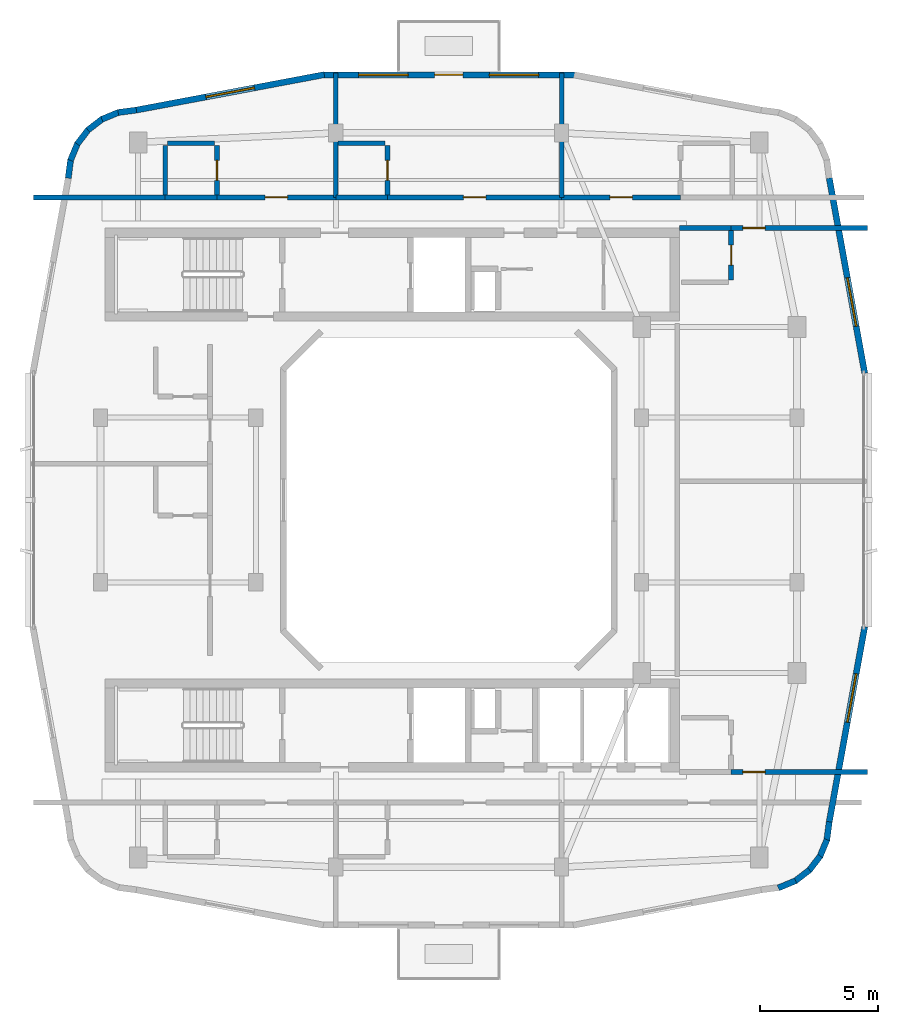
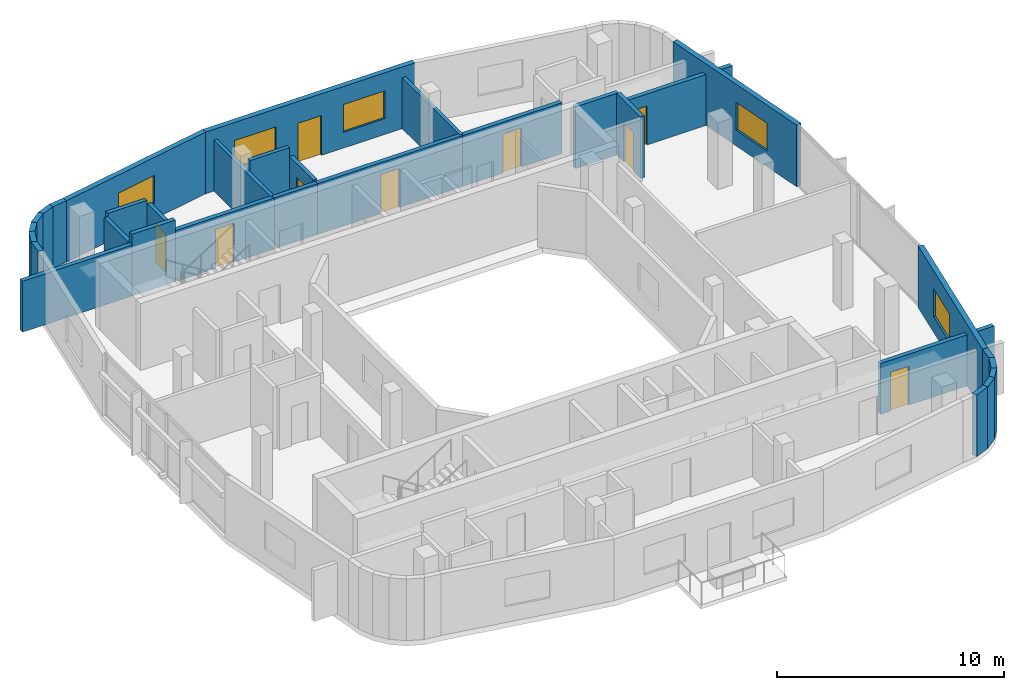
# One storey, part 6 of 10: 32 walls, 9 doors, 5 windows, 14 openings.
"""IFC4 building model written with IfcOpenShell, lengths in metres."""

from ifc_helpers import new_model, si_unit, derived_unit, direction, frame, frame_2d, origin, place, context, subcontext, project, spatial, rectangle, extrude, material, layer, layer_set, type_object, element, fill, save


model = new_model("IFC4")

# Units and contexts
model_context = context("Model", 3, precision=1e-05, world=origin(), true_north=direction((0.0, 1.0)))
body_context = subcontext(model_context, "Body", "Model", "MODEL_VIEW")
ifc_project = project(units=[si_unit("LENGTHUNIT", "METRE"), si_unit("AREAUNIT", "SQUARE_METRE"), si_unit("VOLUMEUNIT", "CUBIC_METRE"), si_unit("PLANEANGLEUNIT", "RADIAN"), si_unit("MASSUNIT", "GRAM", prefix="KILO"), derived_unit("THERMALTRANSMITTANCEUNIT", [(si_unit("POWERUNIT", "WATT"), 1), (si_unit("LENGTHUNIT", "METRE"), -2), (si_unit("THERMODYNAMICTEMPERATUREUNIT", "KELVIN"), -1)])], contexts=[model_context])

# Site, building, storey
site_placement = place(None, origin())
site = spatial("IfcSite", under=ifc_project, at=site_placement, CompositionType="ELEMENT")
building_placement = place(site_placement, origin())
building = spatial("IfcBuilding", under=site, at=building_placement, Name="Kivonza Crest Hotel", CompositionType="ELEMENT")
storey_placement = place(building_placement, frame((0.0, 0.0, 254.0)))
storey = spatial("IfcBuildingStorey", under=building, at=storey_placement, Name="L69", CompositionType="ELEMENT", Elevation=254.0)

# Walls
ifc_material_1 = material(Name="High-density acoustic masonry inter-tenancy wall", Category="masonry")
ifc_layer_1 = layer(ifc_material_1, 0.179931640625)
ifc_layer_set_1 = layer_set([ifc_layer_1], Name="High-density acoustic masonry inter-tenancy wall")
wall_type_1 = type_object("IfcWallType", Name="WL-ACOU-180", PredefinedType="SOLIDWALL", material=ifc_layer_set_1)
for number, where, z_axis, x_axis, name in (
    (1, (16.199951171875, 37.860107421875, 0.0), (0.0, 0.0, 1.0), (0.0, 1.0, 0.0), "L69 interior partition WA-L69-T1N-DIV1"),
    (2, (25.800048828125, 37.860107421875, 0.0), (0.0, 0.0, 1.0), (0.0, 1.0, 0.0), "L69 interior partition WA-L69-T1N-DIV2"),
):
    element("IfcWall", number, at=place(storey_placement, frame(where, z_axis=z_axis, x_axis=x_axis)), inside=storey, type_object=wall_type_1, Name=name, PredefinedType="SOLIDWALL", context=body_context, shape_type="SweptSolid", body=[
        extrude(rectangle(XDim=5.27978515625, YDim=0.179931640625, at=frame_2d((2.639892578125, 0.0))), origin(), (0.0, 0.0, 1.0), 2.7451171875),
    ])
ifc_material_2 = material(Name="Autoclaved aerated concrete blockwork", Category="masonry")
ifc_layer_2 = layer(ifc_material_2, 0.219970703125)
ifc_layer_set_2 = layer_set([ifc_layer_2], Name="Autoclaved aerated concrete blockwork")
wall_type_2 = type_object("IfcWallType", Name="WL-ACOU-220", PredefinedType="SOLIDWALL", material=ifc_layer_set_2)
wall_1_placement = place(storey_placement, frame((3.360107421875, 37.860107421875, 0.0), z_axis=(0.0, 0.0, 1.0), x_axis=(1.0, 0.0, 0.0)))
element("IfcWall", 3, at=wall_1_placement, inside=storey, type_object=wall_type_2, Name="L69 interior partition WA-L69-N01-XCORR", PredefinedType="SOLIDWALL", context=body_context, shape_type="SweptSolid", body=[
    extrude(rectangle(XDim=5.58984375, YDim=0.219970703125, at=frame_2d((2.794921875, 0.0))), origin(), (0.0, 0.0, 1.0), 2.7451171875),
])
wall_2_placement = place(storey_placement, frame((8.949951171875, 37.860107421875, 0.0), z_axis=(0.0, 0.0, 1.0), x_axis=(1.0, 0.0, 0.0)))
element("IfcWall", 4, at=wall_2_placement, inside=storey, type_object=wall_type_2, Name="L69 interior partition WA-L69-N01-BCORR", PredefinedType="SOLIDWALL", context=body_context, shape_type="SweptSolid", body=[
    extrude(rectangle(XDim=2.199951171875, YDim=0.219970703125, at=frame_2d((1.10009765625, 0.0))), origin(), (0.0, 0.0, 1.0), 3.320068359375),
])

# Wall, opening, door
wall_3_placement = place(storey_placement, frame((11.14990234375, 37.860107421875, 0.0), z_axis=(0.0, 0.0, 1.0), x_axis=(1.0, 0.0, 0.0)))
wall_3 = element("IfcWall", 5, at=wall_3_placement, inside=storey, type_object=wall_type_2, Name="L69 interior partition WA-L69-N01-MCORR", PredefinedType="SOLIDWALL", context=body_context, shape_type="SweptSolid", body=[
    extrude(rectangle(XDim=5.050048828125, YDim=0.219970703125, at=frame_2d((2.52490234375, 0.0))), origin(), (0.0, 0.0, 1.0), 2.7451171875),
])
opening_1_placement = place(wall_3_placement, frame((2.050048828125, 0.0, 0.0)))
opening_1 = element("IfcOpeningElement", 6, at=opening_1_placement, cuts=wall_3, Name="Opening DU-60", PredefinedType="OPENING", context=body_context, shape_type="SweptSolid", body=[
    extrude(rectangle(XDim=0.949951171875, YDim=2.10009765625, at=frame_2d((0.47509765625, 1.050048828125))), frame((0.0, 0.1201171875, 0.0), z_axis=(0.0, -1.0, 0.0), x_axis=(1.0, 0.0, 0.0)), (0.0, 0.0, 1.0), 0.239990234375),
])
ifc_material_3 = material(Name="Hardwood timber oak", Category="wood")
door_type_1 = type_object("IfcDoorType", Name="DR-UNIT-950", OperationType="NOTDEFINED", PredefinedType="DOOR", material=ifc_material_3)
door_1_placement = place(opening_1_placement, origin())
door_1 = element("IfcDoor", 7, at=door_1_placement, inside=storey, type_object=door_type_1, Name="L69 N01 guest unit entrance fire door", OperationType="SINGLE_SWING_LEFT", OverallHeight=2.10009765625, OverallWidth=0.949951171875, PredefinedType="DOOR", context=body_context, shape_type="SweptSolid", body=[
    extrude(rectangle(XDim=0.949951171875, YDim=2.10009765625, at=frame_2d((0.47509765625, 1.050048828125))), frame((0.0, 0.02490234375, 0.0), z_axis=(0.0, -1.0, 0.0), x_axis=(1.0, 0.0, 0.0)), (0.0, 0.0, 1.0), 0.050048828125),
])
fill(opening_1, door_1)

# Wall
wall_4_placement = place(storey_placement, frame((16.199951171875, 37.860107421875, 0.0), z_axis=(0.0, 0.0, 1.0), x_axis=(1.0, 0.0, 0.0)))
element("IfcWall", 8, at=wall_4_placement, inside=storey, type_object=wall_type_2, Name="L69 interior partition WA-L69-N02-BCORR", PredefinedType="SOLIDWALL", context=body_context, shape_type="SweptSolid", body=[
    extrude(rectangle(XDim=2.199951171875, YDim=0.219970703125, at=frame_2d((1.10009765625, 0.0))), origin(), (0.0, 0.0, 1.0), 2.7451171875),
])

# Wall, opening, door
wall_5_placement = place(storey_placement, frame((18.39990234375, 37.860107421875, 0.0), z_axis=(0.0, 0.0, 1.0), x_axis=(1.0, 0.0, 0.0)))
wall_5 = element("IfcWall", 9, at=wall_5_placement, inside=storey, type_object=wall_type_2, Name="L69 interior partition WA-L69-N02-MCORR", PredefinedType="SOLIDWALL", context=body_context, shape_type="SweptSolid", body=[
    extrude(rectangle(XDim=7.400146484375, YDim=0.219970703125, at=frame_2d((3.7001953125, 0.0))), origin(), (0.0, 0.0, 1.0), 2.7451171875),
])
opening_2_placement = place(wall_5_placement, frame((3.22509765625, 0.0, 0.0)))
opening_2 = element("IfcOpeningElement", 10, at=opening_2_placement, cuts=wall_5, Name="Opening DU-60", PredefinedType="OPENING", context=body_context, shape_type="SweptSolid", body=[
    extrude(rectangle(XDim=0.949951171875, YDim=2.10009765625, at=frame_2d((0.47509765625, 1.050048828125))), frame((0.0, 0.1201171875, 0.0), z_axis=(0.0, -1.0, 0.0), x_axis=(1.0, 0.0, 0.0)), (0.0, 0.0, 1.0), 0.239990234375),
])
door_2_placement = place(opening_2_placement, origin())
door_2 = element("IfcDoor", 11, at=door_2_placement, inside=storey, type_object=door_type_1, Name="L69 N02 guest unit entrance fire door", OperationType="SINGLE_SWING_RIGHT", OverallHeight=2.10009765625, OverallWidth=0.949951171875, PredefinedType="DOOR", context=body_context, shape_type="SweptSolid", body=[
    extrude(rectangle(XDim=0.949951171875, YDim=2.10009765625, at=frame_2d((0.47509765625, 1.050048828125))), frame((0.0, 0.02490234375, 0.0), z_axis=(0.0, -1.0, 0.0), x_axis=(1.0, 0.0, 0.0)), (0.0, 0.0, 1.0), 0.050048828125),
])
fill(opening_2, door_2)

wall_6_placement = place(storey_placement, frame((25.800048828125, 37.860107421875, 0.0), z_axis=(0.0, 0.0, 1.0), x_axis=(1.0, 0.0, 0.0)))
wall_6 = element("IfcWall", 12, at=wall_6_placement, inside=storey, type_object=wall_type_2, Name="L69 interior partition WA-L69-N03-MCORR", PredefinedType="SOLIDWALL", context=body_context, shape_type="SweptSolid", body=[
    extrude(rectangle(XDim=5.050048828125, YDim=0.219970703125, at=frame_2d((2.52490234375, 0.0))), origin(), (0.0, 0.0, 1.0), 2.7451171875),
])
opening_3_placement = place(wall_6_placement, frame((2.050048828125, 0.0, 0.0)))
opening_3 = element("IfcOpeningElement", 13, at=opening_3_placement, cuts=wall_6, Name="Opening DU-60", PredefinedType="OPENING", context=body_context, shape_type="SweptSolid", body=[
    extrude(rectangle(XDim=0.949951171875, YDim=2.10009765625, at=frame_2d((0.47509765625, 1.050048828125))), frame((0.0, 0.1201171875, 0.0), z_axis=(0.0, -1.0, 0.0), x_axis=(1.0, 0.0, 0.0)), (0.0, 0.0, 1.0), 0.239990234375),
])
door_3_placement = place(opening_3_placement, origin())
door_3 = element("IfcDoor", 14, at=door_3_placement, inside=storey, type_object=door_type_1, Name="L69 N03 guest unit entrance fire door", OperationType="SINGLE_SWING_LEFT", OverallHeight=2.10009765625, OverallWidth=0.949951171875, PredefinedType="DOOR", context=body_context, shape_type="SweptSolid", body=[
    extrude(rectangle(XDim=0.949951171875, YDim=2.10009765625, at=frame_2d((0.47509765625, 1.050048828125))), frame((0.0, 0.02490234375, 0.0), z_axis=(0.0, -1.0, 0.0), x_axis=(1.0, 0.0, 0.0)), (0.0, 0.0, 1.0), 0.050048828125),
])
fill(opening_3, door_3)

wall_7_placement = place(storey_placement, frame((33.0, 13.43994140625, 0.0), z_axis=(0.0, 0.0, 1.0), x_axis=(1.0, 0.0, 0.0)))
wall_7 = element("IfcWall", 15, at=wall_7_placement, inside=storey, type_object=wall_type_2, Name="L69 interior partition WA-L69-ES08-MCORR", PredefinedType="SOLIDWALL", context=body_context, shape_type="SweptSolid", body=[
    extrude(rectangle(XDim=5.800048828125, YDim=0.219970703125, at=frame_2d((2.89990234375, 0.0))), origin(), (0.0, 0.0, 1.0), 2.7451171875),
])
opening_4_placement = place(wall_7_placement, frame((0.5, 0.0, 0.0)))
opening_4 = element("IfcOpeningElement", 16, at=opening_4_placement, cuts=wall_7, Name="Opening DU-60", PredefinedType="OPENING", context=body_context, shape_type="SweptSolid", body=[
    extrude(rectangle(XDim=0.949951171875, YDim=2.10009765625, at=frame_2d((0.47509765625, 1.050048828125))), frame((0.0, 0.1201171875, 0.0), z_axis=(0.0, -1.0, 0.0), x_axis=(1.0, 0.0, 0.0)), (0.0, 0.0, 1.0), 0.239990234375),
])
door_4_placement = place(opening_4_placement, origin())
door_4 = element("IfcDoor", 17, at=door_4_placement, inside=storey, type_object=door_type_1, Name="L69 ES08 guest unit entrance fire door", OperationType="SINGLE_SWING_RIGHT", OverallHeight=2.10009765625, OverallWidth=0.949951171875, PredefinedType="DOOR", context=body_context, shape_type="SweptSolid", body=[
    extrude(rectangle(XDim=0.949951171875, YDim=2.10009765625, at=frame_2d((0.47509765625, 1.050048828125))), frame((0.0, 0.02490234375, 0.0), z_axis=(0.0, -1.0, 0.0), x_axis=(1.0, 0.0, 0.0)), (0.0, 0.0, 1.0), 0.050048828125),
])
fill(opening_4, door_4)

# Wall
wall_8_placement = place(storey_placement, frame((30.800048828125, 36.56005859375, 0.0), z_axis=(0.0, 0.0, 1.0), x_axis=(1.0, 0.0, 0.0)))
element("IfcWall", 18, at=wall_8_placement, inside=storey, type_object=wall_type_2, Name="L69 interior partition WA-L69-EN09-BCORR", PredefinedType="SOLIDWALL", context=body_context, shape_type="SweptSolid", body=[
    extrude(rectangle(XDim=2.199951171875, YDim=0.219970703125, at=frame_2d((1.10009765625, 0.0))), origin(), (0.0, 0.0, 1.0), 3.320068359375),
])

# Wall, opening, door
wall_9_placement = place(storey_placement, frame((33.0, 36.56005859375, 0.0), z_axis=(0.0, 0.0, 1.0), x_axis=(1.0, 0.0, 0.0)))
wall_9 = element("IfcWall", 19, at=wall_9_placement, inside=storey, type_object=wall_type_2, Name="L69 interior partition WA-L69-EN09-MCORR", PredefinedType="SOLIDWALL", context=body_context, shape_type="SweptSolid", body=[
    extrude(rectangle(XDim=5.800048828125, YDim=0.219970703125, at=frame_2d((2.89990234375, 0.0))), origin(), (0.0, 0.0, 1.0), 2.7451171875),
])
opening_5_placement = place(wall_9_placement, frame((0.5, 0.0, 0.0)))
opening_5 = element("IfcOpeningElement", 20, at=opening_5_placement, cuts=wall_9, Name="Opening DU-60", PredefinedType="OPENING", context=body_context, shape_type="SweptSolid", body=[
    extrude(rectangle(XDim=0.949951171875, YDim=2.10009765625, at=frame_2d((0.47509765625, 1.050048828125))), frame((0.0, 0.1201171875, 0.0), z_axis=(0.0, -1.0, 0.0), x_axis=(1.0, 0.0, 0.0)), (0.0, 0.0, 1.0), 0.239990234375),
])
door_5_placement = place(opening_5_placement, frame((0.949951171875, 0.0, 0.0), z_axis=(0.0, 0.0, 1.0), x_axis=(-1.0, 0.0, 0.0)))
door_5 = element("IfcDoor", 21, at=door_5_placement, inside=storey, type_object=door_type_1, Name="L69 EN09 guest unit entrance fire door", OperationType="SINGLE_SWING_LEFT", OverallHeight=2.10009765625, OverallWidth=0.949951171875, PredefinedType="DOOR", context=body_context, shape_type="SweptSolid", body=[
    extrude(rectangle(XDim=0.949951171875, YDim=2.10009765625, at=frame_2d((0.47509765625, 1.050048828125))), frame((0.0, 0.02490234375, 0.0), z_axis=(0.0, -1.0, 0.0), x_axis=(1.0, 0.0, 0.0)), (0.0, 0.0, 1.0), 0.050048828125),
])
fill(opening_5, door_5)

# Walls
ifc_material_4 = material(Name="Precast concrete C40/50", Category="concrete")
ifc_layer_3 = layer(ifc_material_4, 0.260009765625)
ifc_layer_set_3 = layer_set([ifc_layer_3], Name="Precast concrete C40/50")
wall_type_3 = type_object("IfcWallType", Name="WL-EXT-260", PredefinedType="STANDARD", material=ifc_layer_set_3)
wall_10_placement = place(storey_placement, frame((35.0029296875, 8.511962890625, 0.0), z_axis=(0.0, 0.0, 1.0), x_axis=(0.923681457047, 0.383161279238, 0.0)))
element("IfcWall", 22, at=wall_10_placement, inside=storey, type_object=wall_type_3, Name="L69 T1 exterior insulated wall 11", PredefinedType="STANDARD", context=body_context, shape_type="SweptSolid", body=[
    extrude(rectangle(XDim=0.799072265625, YDim=0.260009765625, at=frame_2d((0.3994140625, 0.0))), origin(), (0.0, 0.0, 1.0), 3.320068359375),
])
for number, where, z_axis, x_axis, name in (
    (23, (35.700927734375, 8.7900390625, 0.0), (0.0, 0.0, 1.0), (0.793305889705, 0.608823262828, 0.0), "L69 T1 exterior insulated wall 12"),
    (24, (36.302978515625, 9.238037109375, 0.0), (0.0, 0.0, 1.0), (0.609015748398, 0.793158129381, 0.0), "L69 T1 exterior insulated wall 13"),
):
    element("IfcWall", number, at=place(storey_placement, frame(where, z_axis=z_axis, x_axis=x_axis)), inside=storey, type_object=wall_type_3, Name=name, PredefinedType="STANDARD", context=body_context, shape_type="SweptSolid", body=[
        extrude(rectangle(XDim=0.798095703125, YDim=0.260009765625, at=frame_2d((0.39892578125, 0.0))), origin(), (0.0, 0.0, 1.0), 3.320068359375),
    ])
wall_11_placement = place(storey_placement, frame((36.76806640625, 9.826904296875, 0.0), z_axis=(0.0, 0.0, 1.0), x_axis=(0.382900540965, 0.923789573295, 0.0)))
element("IfcWall", 25, at=wall_11_placement, inside=storey, type_object=wall_type_3, Name="L69 T1 exterior insulated wall 14", PredefinedType="STANDARD", context=body_context, shape_type="SweptSolid", body=[
    extrude(rectangle(XDim=0.798828125, YDim=0.260009765625, at=frame_2d((0.3994140625, 0.0))), origin(), (0.0, 0.0, 1.0), 3.320068359375),
])
wall_12_placement = place(storey_placement, frame((37.06591796875, 10.51611328125, 0.0), z_axis=(0.0, 0.0, 1.0), x_axis=(0.130183552987, 0.991489910454, 0.0)))
element("IfcWall", 26, at=wall_12_placement, inside=storey, type_object=wall_type_3, Name="L69 T1 exterior insulated wall 15", PredefinedType="STANDARD", context=body_context, shape_type="SweptSolid", body=[
    extrude(rectangle(XDim=0.815673828125, YDim=0.260009765625, at=frame_2d((0.40771484375, 0.0))), origin(), (0.0, 0.0, 1.0), 3.320068359375),
])

# Wall, opening, window
wall_13_placement = place(storey_placement, frame((37.1708984375, 11.31494140625, 0.0), z_axis=(0.0, 0.0, 1.0), x_axis=(0.179061111398, 0.983837953316, 0.0)))
wall_13 = element("IfcWall", 27, at=wall_13_placement, inside=storey, type_object=wall_type_3, Name="L69 T1 exterior insulated wall 16", PredefinedType="STANDARD", context=body_context, shape_type="SweptSolid", body=[
    extrude(rectangle(XDim=8.4384765625, YDim=0.260009765625, at=frame_2d((4.21923828125, 0.0))), origin(), (0.0, 0.0, 1.0), 3.320068359375),
])
opening_6_placement = place(wall_13_placement, frame((4.30810546875, 0.0, 0.85009765625)))
opening_6 = element("IfcOpeningElement", 28, at=opening_6_placement, cuts=wall_13, Name="Opening WN-04", PredefinedType="OPENING", context=body_context, shape_type="SweptSolid", body=[
    extrude(rectangle(XDim=2.10009765625, YDim=1.5, at=frame_2d((1.050048828125, 0.75))), frame((0.0, 0.14013671875, 0.0), z_axis=(0.0, -1.0, 0.0), x_axis=(1.0, 0.0, 0.0)), (0.0, 0.0, 1.0), 0.280029296875),
])
ifc_material_5 = material(Name="Thermally broken bronze aluminium and low-E double glazing", Category="aluminium")
window_type = type_object("IfcWindowType", Name="WN-210x150", PartitioningType="DOUBLE_PANEL_VERTICAL", PredefinedType="WINDOW", material=ifc_material_5)
window_1_placement = place(opening_6_placement, origin())
window_1 = element("IfcWindow", 29, at=window_1_placement, inside=storey, type_object=window_type, Name="L69 T1 facade window 16", OverallHeight=1.5, OverallWidth=2.10009765625, PartitioningType="SINGLE_PANEL", PredefinedType="WINDOW", context=body_context, shape_type="SweptSolid", body=[
    extrude(rectangle(XDim=2.10009765625, YDim=1.5, at=frame_2d((1.050048828125, 0.75))), frame((0.0, 0.030029296875, 0.0), z_axis=(0.0, -1.0, 0.0), x_axis=(1.0, 0.0, 0.0)), (0.0, 0.0, 1.0), 0.06005859375),
])
fill(opening_6, window_1)

wall_14_placement = place(storey_placement, frame((38.681884765625, 30.383056640625, 0.0), z_axis=(0.0, 0.0, 1.0), x_axis=(-0.179061111398, 0.983837953316, 0.0)))
wall_14 = element("IfcWall", 30, at=wall_14_placement, inside=storey, type_object=wall_type_3, Name="L69 T1 exterior insulated wall 18", PredefinedType="STANDARD", context=body_context, shape_type="SweptSolid", body=[
    extrude(rectangle(XDim=8.4384765625, YDim=0.260009765625, at=frame_2d((4.21923828125, 0.0))), origin(), (0.0, 0.0, 1.0), 3.320068359375),
])
opening_7_placement = place(wall_14_placement, frame((2.030029296875, 0.0, 0.85009765625)))
opening_7 = element("IfcOpeningElement", 31, at=opening_7_placement, cuts=wall_14, Name="Opening WN-04", PredefinedType="OPENING", context=body_context, shape_type="SweptSolid", body=[
    extrude(rectangle(XDim=2.10009765625, YDim=1.5, at=frame_2d((1.050048828125, 0.75))), frame((0.0, 0.14013671875, 0.0), z_axis=(0.0, -1.0, 0.0), x_axis=(1.0, 0.0, 0.0)), (0.0, 0.0, 1.0), 0.280029296875),
])
window_2_placement = place(opening_7_placement, origin())
window_2 = element("IfcWindow", 32, at=window_2_placement, inside=storey, type_object=window_type, Name="L69 T1 facade window 18", OverallHeight=1.5, OverallWidth=2.10009765625, PartitioningType="SINGLE_PANEL", PredefinedType="WINDOW", context=body_context, shape_type="SweptSolid", body=[
    extrude(rectangle(XDim=2.10009765625, YDim=1.5, at=frame_2d((1.050048828125, 0.75))), frame((0.0, 0.030029296875, 0.0), z_axis=(0.0, -1.0, 0.0), x_axis=(1.0, 0.0, 0.0)), (0.0, 0.0, 1.0), 0.06005859375),
])
fill(opening_7, window_2)

# Wall, openings, door, windows
wall_15_placement = place(storey_placement, frame((26.364990234375, 43.070068359375, 0.0), z_axis=(0.0, 0.0, 1.0), x_axis=(-1.0, 0.0, 0.0)))
wall_15 = element("IfcWall", 33, at=wall_15_placement, inside=storey, type_object=wall_type_3, Name="L69 T1 exterior insulated wall 26", PredefinedType="STANDARD", context=body_context, shape_type="SweptSolid", body=[
    extrude(rectangle(XDim=10.695068359375, YDim=0.260009765625, at=frame_2d((5.34765625, 0.0))), origin(), (0.0, 0.0, 1.0), 3.320068359375),
])
opening_8_placement = place(wall_15_placement, frame((4.764892578125, 0.0, 0.0)))
opening_8 = element("IfcOpeningElement", 34, at=opening_8_placement, cuts=wall_15, Name="Opening DT-120", PredefinedType="OPENING", context=body_context, shape_type="SweptSolid", body=[
    extrude(rectangle(XDim=1.199951171875, YDim=2.14990234375, at=frame_2d((0.60009765625, 1.074951171875))), frame((0.0, 0.14013671875, 0.0), z_axis=(0.0, -1.0, 0.0), x_axis=(1.0, 0.0, 0.0)), (0.0, 0.0, 1.0), 0.280029296875),
])
opening_9_placement = place(wall_15_placement, frame((1.5400390625, 0.0, 0.85009765625)))
opening_9 = element("IfcOpeningElement", 35, at=opening_9_placement, cuts=wall_15, Name="Opening WN-04", PredefinedType="OPENING", context=body_context, shape_type="SweptSolid", body=[
    extrude(rectangle(XDim=2.10009765625, YDim=1.5, at=frame_2d((1.050048828125, 0.75))), frame((0.0, 0.14013671875, 0.0), z_axis=(0.0, -1.0, 0.0), x_axis=(1.0, 0.0, 0.0)), (0.0, 0.0, 1.0), 0.280029296875),
])
opening_10_placement = place(wall_15_placement, frame((7.090087890625, 0.0, 0.85009765625)))
opening_10 = element("IfcOpeningElement", 36, at=opening_10_placement, cuts=wall_15, Name="Opening WN-04", PredefinedType="OPENING", context=body_context, shape_type="SweptSolid", body=[
    extrude(rectangle(XDim=2.10009765625, YDim=1.5, at=frame_2d((1.050048828125, 0.75))), frame((0.0, 0.14013671875, 0.0), z_axis=(0.0, -1.0, 0.0), x_axis=(1.0, 0.0, 0.0)), (0.0, 0.0, 1.0), 0.280029296875),
])
ifc_material_6 = material(Name="Anodised bronze aluminium and laminated safety glass", Category="aluminium")
door_type_2 = type_object("IfcDoorType", Name="DR-TERR-1200", OperationType="NOTDEFINED", PredefinedType="DOOR", material=ifc_material_6)
door_6_placement = place(opening_8_placement, frame((1.199951171875, 0.0, 0.0), z_axis=(0.0, 0.0, 1.0), x_axis=(-1.0, 0.0, 0.0)))
door_6 = element("IfcDoor", 37, at=door_6_placement, inside=storey, type_object=door_type_2, Name="T1 L69 NE sky-garden bridge access door", OperationType="SINGLE_SWING_LEFT", OverallHeight=2.14990234375, OverallWidth=1.199951171875, PredefinedType="DOOR", context=body_context, shape_type="SweptSolid", body=[
    extrude(rectangle(XDim=1.199951171875, YDim=2.14990234375, at=frame_2d((0.60009765625, 1.074951171875))), frame((0.0, 0.02490234375, 0.0), z_axis=(0.0, -1.0, 0.0), x_axis=(1.0, 0.0, 0.0)), (0.0, 0.0, 1.0), 0.050048828125),
])
fill(opening_8, door_6)
window_3_placement = place(opening_9_placement, origin())
window_3 = element("IfcWindow", 38, at=window_3_placement, inside=storey, type_object=window_type, Name="L69 T1 facade window 26 bay 1", OverallHeight=1.5, OverallWidth=2.10009765625, PartitioningType="SINGLE_PANEL", PredefinedType="WINDOW", context=body_context, shape_type="SweptSolid", body=[
    extrude(rectangle(XDim=2.10009765625, YDim=1.5, at=frame_2d((1.050048828125, 0.75))), frame((0.0, 0.030029296875, 0.0), z_axis=(0.0, -1.0, 0.0), x_axis=(1.0, 0.0, 0.0)), (0.0, 0.0, 1.0), 0.06005859375),
])
fill(opening_9, window_3)
window_4_placement = place(opening_10_placement, origin())
window_4 = element("IfcWindow", 39, at=window_4_placement, inside=storey, type_object=window_type, Name="L69 T1 facade window 26 bay 2", OverallHeight=1.5, OverallWidth=2.10009765625, PartitioningType="SINGLE_PANEL", PredefinedType="WINDOW", context=body_context, shape_type="SweptSolid", body=[
    extrude(rectangle(XDim=2.10009765625, YDim=1.5, at=frame_2d((1.050048828125, 0.75))), frame((0.0, 0.030029296875, 0.0), z_axis=(0.0, -1.0, 0.0), x_axis=(1.0, 0.0, 0.0)), (0.0, 0.0, 1.0), 0.06005859375),
])
fill(opening_10, window_4)

# Wall, opening, window
wall_16_placement = place(storey_placement, frame((15.708984375, 43.076904296875, 0.0), z_axis=(0.0, 0.0, 1.0), x_axis=(-0.982711765767, -0.185142068214, 0.0)))
wall_16 = element("IfcWall", 40, at=wall_16_placement, inside=storey, type_object=wall_type_3, Name="L69 T1 exterior insulated wall 27", PredefinedType="STANDARD", context=body_context, shape_type="SweptSolid", body=[
    extrude(rectangle(XDim=8.133544921875, YDim=0.260009765625, at=frame_2d((4.06689453125, 0.0))), origin(), (0.0, 0.0, 1.0), 3.320068359375),
])
opening_11_placement = place(wall_16_placement, frame((3.01708984375, 0.0, 0.85009765625)))
opening_11 = element("IfcOpeningElement", 41, at=opening_11_placement, cuts=wall_16, Name="Opening WN-04", PredefinedType="OPENING", context=body_context, shape_type="SweptSolid", body=[
    extrude(rectangle(XDim=2.10009765625, YDim=1.5, at=frame_2d((1.050048828125, 0.75))), frame((0.0, 0.14013671875, 0.0), z_axis=(0.0, -1.0, 0.0), x_axis=(1.0, 0.0, 0.0)), (0.0, 0.0, 1.0), 0.280029296875),
])
window_5_placement = place(opening_11_placement, origin())
window_5 = element("IfcWindow", 42, at=window_5_placement, inside=storey, type_object=window_type, Name="L69 T1 facade window 27", OverallHeight=1.5, OverallWidth=2.10009765625, PartitioningType="SINGLE_PANEL", PredefinedType="WINDOW", context=body_context, shape_type="SweptSolid", body=[
    extrude(rectangle(XDim=2.10009765625, YDim=1.5, at=frame_2d((1.050048828125, 0.75))), frame((0.0, 0.030029296875, 0.0), z_axis=(0.0, -1.0, 0.0), x_axis=(1.0, 0.0, 0.0)), (0.0, 0.0, 1.0), 0.06005859375),
])
fill(opening_11, window_5)

# Walls
wall_17_placement = place(storey_placement, frame((7.72509765625, 41.572021484375, 0.0), z_axis=(0.0, 0.0, 1.0), x_axis=(-0.991423406861, -0.130689052056, 0.0)))
element("IfcWall", 43, at=wall_17_placement, inside=storey, type_object=wall_type_3, Name="L69 T1 exterior insulated wall 28", PredefinedType="STANDARD", context=body_context, shape_type="SweptSolid", body=[
    extrude(rectangle(XDim=0.78076171875, YDim=0.260009765625, at=frame_2d((0.390380859375, 0.0))), origin(), (0.0, 0.0, 1.0), 3.320068359375),
])
wall_18_placement = place(storey_placement, frame((6.9970703125, 41.488037109375, 0.0), z_axis=(0.0, 0.0, 1.0), x_axis=(-0.923681457047, -0.383161279238, 0.0)))
element("IfcWall", 44, at=wall_18_placement, inside=storey, type_object=wall_type_3, Name="L69 T1 exterior insulated wall 29", PredefinedType="STANDARD", context=body_context, shape_type="SweptSolid", body=[
    extrude(rectangle(XDim=0.799072265625, YDim=0.260009765625, at=frame_2d((0.3994140625, 0.0))), origin(), (0.0, 0.0, 1.0), 3.320068359375),
])
for number, where, z_axis, x_axis, name in (
    (45, (6.299072265625, 41.2099609375, 0.0), (0.0, 0.0, 1.0), (-0.793305889705, -0.608823262828, 0.0), "L69 T1 exterior insulated wall 30"),
    (46, (5.697021484375, 40.761962890625, 0.0), (0.0, 0.0, 1.0), (-0.609015748398, -0.793158129381, 0.0), "L69 T1 exterior insulated wall 31"),
):
    element("IfcWall", number, at=place(storey_placement, frame(where, z_axis=z_axis, x_axis=x_axis)), inside=storey, type_object=wall_type_3, Name=name, PredefinedType="STANDARD", context=body_context, shape_type="SweptSolid", body=[
        extrude(rectangle(XDim=0.798095703125, YDim=0.260009765625, at=frame_2d((0.39892578125, 0.0))), origin(), (0.0, 0.0, 1.0), 3.320068359375),
    ])
wall_19_placement = place(storey_placement, frame((5.23193359375, 40.173095703125, 0.0), z_axis=(0.0, 0.0, 1.0), x_axis=(-0.382900540965, -0.923789573295, 0.0)))
element("IfcWall", 47, at=wall_19_placement, inside=storey, type_object=wall_type_3, Name="L69 T1 exterior insulated wall 32", PredefinedType="STANDARD", context=body_context, shape_type="SweptSolid", body=[
    extrude(rectangle(XDim=0.798828125, YDim=0.260009765625, at=frame_2d((0.3994140625, 0.0))), origin(), (0.0, 0.0, 1.0), 3.320068359375),
])
wall_20_placement = place(storey_placement, frame((4.93408203125, 39.48388671875, 0.0), z_axis=(0.0, 0.0, 1.0), x_axis=(-0.130183552987, -0.991489910454, 0.0)))
element("IfcWall", 48, at=wall_20_placement, inside=storey, type_object=wall_type_3, Name="L69 T1 exterior insulated wall 33", PredefinedType="STANDARD", context=body_context, shape_type="SweptSolid", body=[
    extrude(rectangle(XDim=0.815673828125, YDim=0.260009765625, at=frame_2d((0.40771484375, 0.0))), origin(), (0.0, 0.0, 1.0), 3.320068359375),
])

# Wall, opening, door
ifc_material_7 = material(Name="Moisture-resistant plumbing chase partition wall", Category="gypsum")
ifc_layer_4 = layer(ifc_material_7, 0.199951171875)
ifc_layer_set_4 = layer_set([ifc_layer_4], Name="Moisture-resistant plumbing chase partition wall")
wall_type_4 = type_object("IfcWallType", Name="WL-PLUMB-200", PredefinedType="PLUMBINGWALL", material=ifc_layer_set_4)
wall_21_placement = place(storey_placement, frame((11.14990234375, 37.9599609375, 0.0), z_axis=(0.0, 0.0, 1.0), x_axis=(0.0, 1.0, 0.0)))
wall_21 = element("IfcWall", 49, at=wall_21_placement, inside=storey, type_object=wall_type_4, Name="L69 interior partition WW-L69-N01-BV", PredefinedType="PLUMBINGWALL", context=body_context, shape_type="SweptSolid", body=[
    extrude(rectangle(XDim=2.10009765625, YDim=0.199951171875, at=frame_2d((1.050048828125, 0.0))), origin(), (0.0, 0.0, 1.0), 2.844970703125),
])
opening_12_placement = place(wall_21_placement, frame((0.625, 0.0, 0.0)))
opening_12 = element("IfcOpeningElement", 50, at=opening_12_placement, cuts=wall_21, Name="Opening DI-85", PredefinedType="OPENING", context=body_context, shape_type="SweptSolid", body=[
    extrude(rectangle(XDim=0.85009765625, YDim=2.10009765625, at=frame_2d((0.425048828125, 1.050048828125))), frame((0.0, 0.10986328125, 0.0), z_axis=(0.0, -1.0, 0.0), x_axis=(1.0, 0.0, 0.0)), (0.0, 0.0, 1.0), 0.219970703125),
])
door_type_3 = type_object("IfcDoorType", Name="DR-INT-850", OperationType="NOTDEFINED", PredefinedType="DOOR", material=ifc_material_3)
door_7_placement = place(opening_12_placement, frame((0.85009765625, 0.0, 0.0), z_axis=(0.0, 0.0, 1.0), x_axis=(-1.0, 0.0, 0.0)))
door_7 = element("IfcDoor", 51, at=door_7_placement, inside=storey, type_object=door_type_3, Name="L69 N01 en-suite bathroom door", OperationType="SINGLE_SWING_RIGHT", OverallHeight=2.10009765625, OverallWidth=0.85009765625, PredefinedType="DOOR", context=body_context, shape_type="SweptSolid", body=[
    extrude(rectangle(XDim=0.85009765625, YDim=2.10009765625, at=frame_2d((0.425048828125, 1.050048828125))), frame((0.0, 0.02490234375, 0.0), z_axis=(0.0, -1.0, 0.0), x_axis=(1.0, 0.0, 0.0)), (0.0, 0.0, 1.0), 0.050048828125),
])
fill(opening_12, door_7)

# Walls
wall_22_placement = place(storey_placement, frame((9.050048828125, 40.159912109375, 0.0), z_axis=(0.0, 0.0, 1.0), x_axis=(1.0, 0.0, 0.0)))
element("IfcWall", 52, at=wall_22_placement, inside=storey, type_object=wall_type_4, Name="L69 interior partition WW-L69-N01-BH", PredefinedType="PLUMBINGWALL", context=body_context, shape_type="SweptSolid", body=[
    extrude(rectangle(XDim=2.0, YDim=0.199951171875, at=frame_2d((1.0, 0.0))), origin(), (0.0, 0.0, 1.0), 3.014892578125),
])
wall_23_placement = place(storey_placement, frame((8.949951171875, 37.9599609375, 0.0), z_axis=(0.0, 0.0, 1.0), x_axis=(0.0, 1.0, 0.0)))
element("IfcWall", 53, at=wall_23_placement, inside=storey, type_object=wall_type_4, Name="L69 interior partition WW-L69-N01-BVW", PredefinedType="PLUMBINGWALL", context=body_context, shape_type="SweptSolid", body=[
    extrude(rectangle(XDim=2.10009765625, YDim=0.199951171875, at=frame_2d((1.050048828125, 0.0))), origin(), (0.0, 0.0, 1.0), 2.844970703125),
])

# Wall, opening, door
wall_24_placement = place(storey_placement, frame((18.39990234375, 37.9599609375, 0.0), z_axis=(0.0, 0.0, 1.0), x_axis=(0.0, 1.0, 0.0)))
wall_24 = element("IfcWall", 54, at=wall_24_placement, inside=storey, type_object=wall_type_4, Name="L69 interior partition WW-L69-N02-BV", PredefinedType="PLUMBINGWALL", context=body_context, shape_type="SweptSolid", body=[
    extrude(rectangle(XDim=2.10009765625, YDim=0.199951171875, at=frame_2d((1.050048828125, 0.0))), origin(), (0.0, 0.0, 1.0), 2.844970703125),
])
opening_13_placement = place(wall_24_placement, frame((0.625, 0.0, 0.0)))
opening_13 = element("IfcOpeningElement", 55, at=opening_13_placement, cuts=wall_24, Name="Opening DI-85", PredefinedType="OPENING", context=body_context, shape_type="SweptSolid", body=[
    extrude(rectangle(XDim=0.85009765625, YDim=2.10009765625, at=frame_2d((0.425048828125, 1.050048828125))), frame((0.0, 0.10986328125, 0.0), z_axis=(0.0, -1.0, 0.0), x_axis=(1.0, 0.0, 0.0)), (0.0, 0.0, 1.0), 0.219970703125),
])
door_8_placement = place(opening_13_placement, frame((0.85009765625, 0.0, 0.0), z_axis=(0.0, 0.0, 1.0), x_axis=(-1.0, 0.0, 0.0)))
door_8 = element("IfcDoor", 56, at=door_8_placement, inside=storey, type_object=door_type_3, Name="L69 N02 en-suite bathroom door", OperationType="SINGLE_SWING_LEFT", OverallHeight=2.10009765625, OverallWidth=0.85009765625, PredefinedType="DOOR", context=body_context, shape_type="SweptSolid", body=[
    extrude(rectangle(XDim=0.85009765625, YDim=2.10009765625, at=frame_2d((0.425048828125, 1.050048828125))), frame((0.0, 0.02490234375, 0.0), z_axis=(0.0, -1.0, 0.0), x_axis=(1.0, 0.0, 0.0)), (0.0, 0.0, 1.0), 0.050048828125),
])
fill(opening_13, door_8)

# Wall
wall_25_placement = place(storey_placement, frame((16.300048828125, 40.159912109375, 0.0), z_axis=(0.0, 0.0, 1.0), x_axis=(1.0, 0.0, 0.0)))
element("IfcWall", 57, at=wall_25_placement, inside=storey, type_object=wall_type_4, Name="L69 interior partition WW-L69-N02-BH", PredefinedType="PLUMBINGWALL", context=body_context, shape_type="SweptSolid", body=[
    extrude(rectangle(XDim=2.0, YDim=0.199951171875, at=frame_2d((1.0, 0.0))), origin(), (0.0, 0.0, 1.0), 3.320068359375),
])

# Wall, opening, door
wall_26_placement = place(storey_placement, frame((33.0, 34.360107421875, 0.0), z_axis=(0.0, 0.0, 1.0), x_axis=(0.0, 1.0, 0.0)))
wall_26 = element("IfcWall", 58, at=wall_26_placement, inside=storey, type_object=wall_type_4, Name="L69 interior partition WW-L69-EN09-BV", PredefinedType="PLUMBINGWALL", context=body_context, shape_type="SweptSolid", body=[
    extrude(rectangle(XDim=2.099853515625, YDim=0.199951171875, at=frame_2d((1.0498046875, 0.0))), origin(), (0.0, 0.0, 1.0), 3.320068359375),
])
opening_14_placement = place(wall_26_placement, frame((0.625, 0.0, 0.0)))
opening_14 = element("IfcOpeningElement", 59, at=opening_14_placement, cuts=wall_26, Name="Opening DI-85", PredefinedType="OPENING", context=body_context, shape_type="SweptSolid", body=[
    extrude(rectangle(XDim=0.85009765625, YDim=2.10009765625, at=frame_2d((0.425048828125, 1.050048828125))), frame((0.0, 0.10986328125, 0.0), z_axis=(0.0, -1.0, 0.0), x_axis=(1.0, 0.0, 0.0)), (0.0, 0.0, 1.0), 0.219970703125),
])
door_9_placement = place(opening_14_placement, frame((0.85009765625, 0.0, 0.0), z_axis=(0.0, 0.0, 1.0), x_axis=(-1.0, 0.0, 0.0)))
door_9 = element("IfcDoor", 60, at=door_9_placement, inside=storey, type_object=door_type_3, Name="L69 EN09 en-suite bathroom door", OperationType="SINGLE_SWING_RIGHT", OverallHeight=2.10009765625, OverallWidth=0.85009765625, PredefinedType="DOOR", context=body_context, shape_type="SweptSolid", body=[
    extrude(rectangle(XDim=0.85009765625, YDim=2.10009765625, at=frame_2d((0.425048828125, 1.050048828125))), frame((0.0, 0.02490234375, 0.0), z_axis=(0.0, -1.0, 0.0), x_axis=(1.0, 0.0, 0.0)), (0.0, 0.0, 1.0), 0.050048828125),
])
fill(opening_14, door_9)

save(model, "model.ifc")
